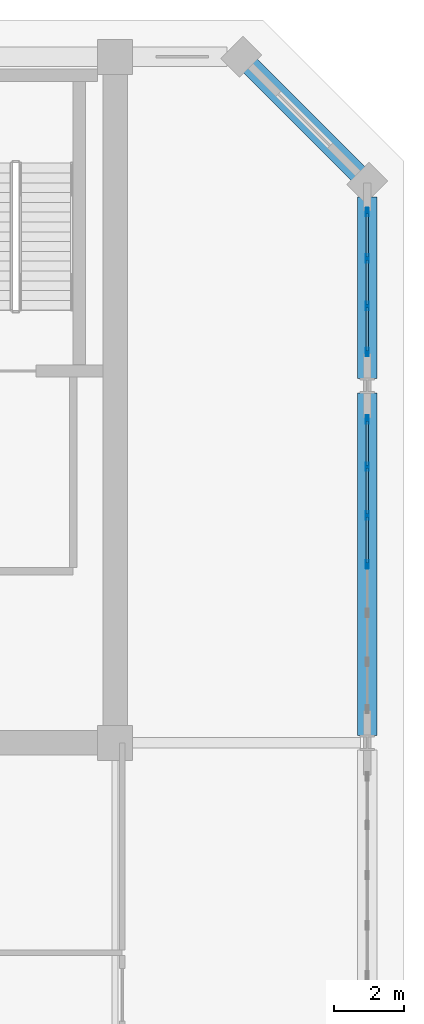
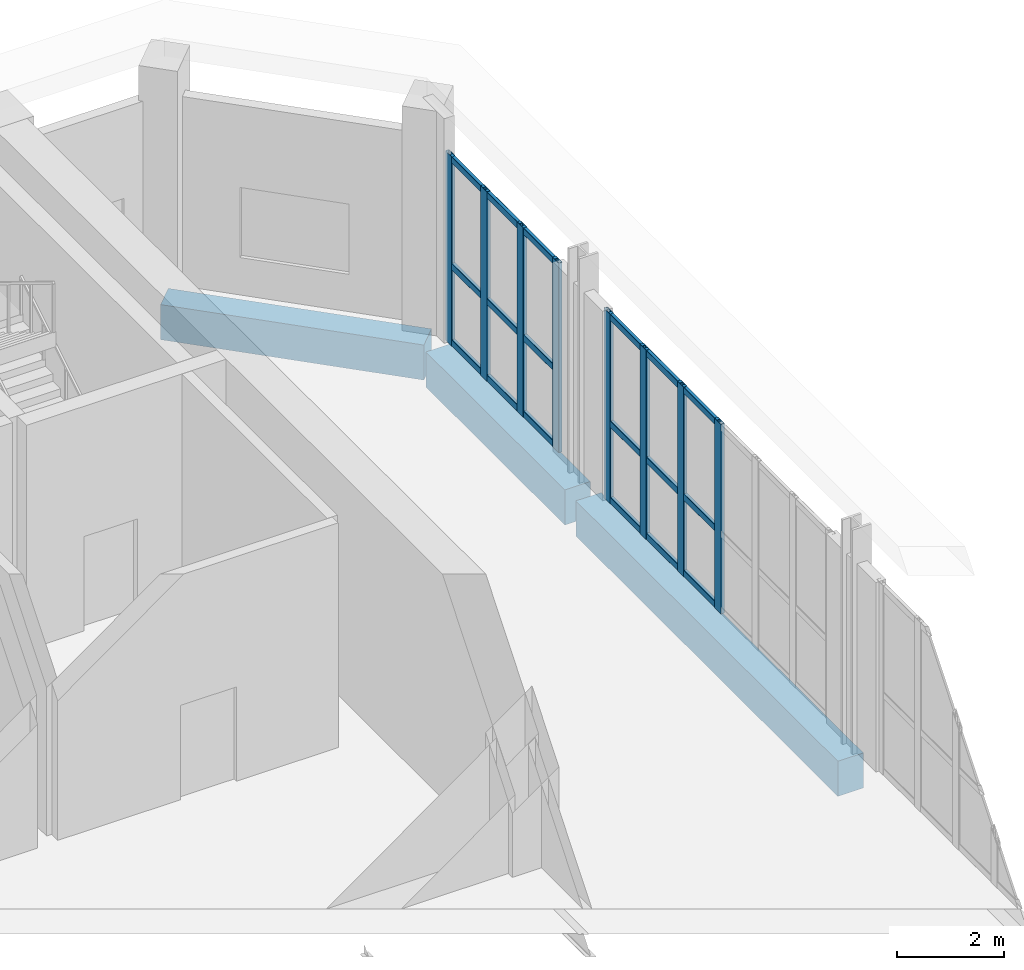
# One storey, part 16 of 26: 26 members, 3 beams, 2 elements without a shape of their own.
"""IFC4 building model written with IfcOpenShell, lengths in metres."""

from ifc_helpers import new_model, si_unit, direction, frame, origin, origin_2d, place, context, subcontext, project, spatial, rectangle, hollow_rectangle, extrude, material, layer, layer_set, material_profile, profile_set, type_object, element, aggregate, save


model = new_model("IFC4")

# Units and contexts
model_context = context("Model", 3, precision=1e-05, world=origin(), true_north=direction((0.0, 1.0)))
body_context = subcontext(model_context, "Body", "Model", "MODEL_VIEW")
ifc_project = project(units=[si_unit("LENGTHUNIT", "METRE"), si_unit("AREAUNIT", "SQUARE_METRE"), si_unit("VOLUMEUNIT", "CUBIC_METRE"), si_unit("PLANEANGLEUNIT", "RADIAN"), si_unit("MASSUNIT", "GRAM", prefix="KILO")], contexts=[model_context])

# Site, building, storey
site_placement = place(None, origin())
site = spatial("IfcSite", under=ifc_project, at=site_placement, CompositionType="ELEMENT")
building_placement = place(site_placement, origin())
building = spatial("IfcBuilding", under=site, at=building_placement, Name="Kaelvorn Grand Hotel", CompositionType="ELEMENT")
storey_placement = place(building_placement, frame((0.0, 0.0, 300.199951171875)))
storey = spatial("IfcBuildingStorey", under=building, at=storey_placement, Name="L73", CompositionType="ELEMENT", Elevation=300.199951171875)

# Beams
ifc_material_1 = material(Name="Concrete C50/60", Category="concrete")
ifc_material_profile_1 = material_profile(ifc_material_1, rectangle(XDim=0.550048828125, YDim=0.800048828125, at=origin_2d()), Name="RC SPANDREL 550x800")
ifc_profile_set_1 = profile_set([ifc_material_profile_1], Name="Concrete C50/60")
beam_type = type_object("IfcBeamType", Name="BM-SP-550x800-C50", PredefinedType="SPANDREL", material=ifc_profile_set_1)
beam_1_placement = place(storey_placement, frame((75.0, 29.60498046875, -0.780029296875), z_axis=(0.0, 1.0, 0.0), x_axis=(-1.0, 0.0, 0.0)))
element("IfcBeam", 1, at=beam_1_placement, inside=storey, type_object=beam_type, Name="L73 East Perimeter Spandrel 03", PredefinedType="SPANDREL", context=body_context, shape_type="SweptSolid", body=[
    extrude(rectangle(XDim=0.550048828125, YDim=0.800048828125, at=origin_2d()), origin(), (0.0, 0.0, 1.0), 9.7900390625),
])
beam_2_placement = place(storey_placement, frame((75.0, 39.804931640625, -0.780029296875), z_axis=(0.0, 1.0, 0.0), x_axis=(-1.0, 0.0, 0.0)))
element("IfcBeam", 2, at=beam_2_placement, inside=storey, type_object=beam_type, Name="L73 East Perimeter Spandrel 04", PredefinedType="SPANDREL", context=body_context, shape_type="SweptSolid", body=[
    extrude(rectangle(XDim=0.550048828125, YDim=0.800048828125, at=origin_2d()), origin(), (0.0, 0.0, 1.0), 5.190185546875),
])
beam_3_placement = place(storey_placement, frame((75.0, 45.39990234375, -0.780029296875), z_axis=(-0.707106781187, 0.707106781187, 0.0), x_axis=(-0.707106781187, -0.707106781187, 0.0)))
element("IfcBeam", 3, at=beam_3_placement, inside=storey, type_object=beam_type, Name="L73 Chamfer Spandrel Beam 2", PredefinedType="SPANDREL", context=body_context, shape_type="SweptSolid", body=[
    extrude(rectangle(XDim=0.550048828125, YDim=0.800048828125, at=origin_2d()), origin(), (0.0, 0.0, 1.0), 5.09130859375),
])

# Curtain wall, members
ifc_material_2 = material(Name="Anodised Aluminium", Category="aluminium")
ifc_layer = layer(ifc_material_2, 0.239990234375)
ifc_layer_set = layer_set([ifc_layer], Name="Anodised Aluminium")
curtain_wall_type = type_object("IfcCurtainWallType", Name="CW-SYS5", PredefinedType="NOTDEFINED", material=ifc_layer_set)
curtain_wall_1_placement = place(storey_placement, origin())
curtain_wall_1 = element("IfcCurtainWall", 4, at=curtain_wall_1_placement, inside=storey, type_object=curtain_wall_type, Name="L73 Unitised Curtain Wall CW5 (CW-L73-E-04)", PredefinedType="NOTDEFINED")
ifc_material_profile_2 = material_profile(ifc_material_2, hollow_rectangle(XDim=0.080078125, YDim=0.239990234375, WallThickness=0.0048828125, InnerFilletRadius=0.0048828125, OuterFilletRadius=0.010009765625, at=origin_2d()), Name="ALU MULL 80x240")
ifc_profile_set_2 = profile_set([ifc_material_profile_2], Name="Anodised Aluminium")
member_type_1 = type_object("IfcMemberType", Name="CW-SYS5-MULL", PredefinedType="MULLION", material=ifc_profile_set_2)
member_1_placement = place(storey_placement, frame((75.0, 34.5, 0.0), z_axis=(0.0, 0.0, 1.0), x_axis=(-1.0, 0.0, 0.0)))
member_1 = element("IfcMember", 5, at=member_1_placement, type_object=member_type_1, Name="CW5 mullion 4", PredefinedType="MULLION", context=body_context, shape_type="SweptSolid", body=[
    extrude(hollow_rectangle(XDim=0.080078125, YDim=0.239990234375, WallThickness=0.0048828125, InnerFilletRadius=0.0048828125, OuterFilletRadius=0.010009765625, at=origin_2d()), origin(), (0.0, 0.0, 1.0), 4.320068359375),
])
member_2_placement = place(storey_placement, frame((75.0, 35.893310546875, 0.0), z_axis=(0.0, 0.0, 1.0), x_axis=(-1.0, 0.0, 0.0)))
member_2 = element("IfcMember", 6, at=member_2_placement, type_object=member_type_1, Name="CW5 mullion 5", PredefinedType="MULLION", context=body_context, shape_type="SweptSolid", body=[
    extrude(hollow_rectangle(XDim=0.080078125, YDim=0.239990234375, WallThickness=0.0048828125, InnerFilletRadius=0.0048828125, OuterFilletRadius=0.010009765625, at=origin_2d()), origin(), (0.0, 0.0, 1.0), 4.320068359375),
])
member_3_placement = place(storey_placement, frame((75.0, 37.28662109375, 0.0), z_axis=(0.0, 0.0, 1.0), x_axis=(-1.0, 0.0, 0.0)))
member_3 = element("IfcMember", 7, at=member_3_placement, type_object=member_type_1, Name="CW5 mullion 6", PredefinedType="MULLION", context=body_context, shape_type="SweptSolid", body=[
    extrude(hollow_rectangle(XDim=0.080078125, YDim=0.239990234375, WallThickness=0.0048828125, InnerFilletRadius=0.0048828125, OuterFilletRadius=0.010009765625, at=origin_2d()), origin(), (0.0, 0.0, 1.0), 4.320068359375),
])
member_4_placement = place(storey_placement, frame((75.0, 38.639892578125, 0.0), z_axis=(0.0, 0.0, 1.0), x_axis=(-1.0, 0.0, 0.0)))
member_4 = element("IfcMember", 8, at=member_4_placement, type_object=member_type_1, Name="CW5 mullion 7", PredefinedType="MULLION", context=body_context, shape_type="SweptSolid", body=[
    extrude(hollow_rectangle(XDim=0.080078125, YDim=0.239990234375, WallThickness=0.0048828125, InnerFilletRadius=0.0048828125, OuterFilletRadius=0.010009765625, at=origin_2d()), origin(), (0.0, 0.0, 1.0), 4.320068359375),
])

curtain_wall_2_placement = place(storey_placement, origin())
curtain_wall_2 = element("IfcCurtainWall", 9, at=curtain_wall_2_placement, inside=storey, type_object=curtain_wall_type, Name="L73 Unitised Curtain Wall CW5 (CW-L73-E-05)", PredefinedType="NOTDEFINED")
member_5_placement = place(storey_placement, frame((75.0, 40.56005859375, 0.0), z_axis=(0.0, 0.0, 1.0), x_axis=(-1.0, 0.0, 0.0)))
member_5 = element("IfcMember", 10, at=member_5_placement, type_object=member_type_1, Name="CW5 mullion 1", PredefinedType="MULLION", context=body_context, shape_type="SweptSolid", body=[
    extrude(hollow_rectangle(XDim=0.080078125, YDim=0.239990234375, WallThickness=0.0048828125, InnerFilletRadius=0.0048828125, OuterFilletRadius=0.010009765625, at=origin_2d()), origin(), (0.0, 0.0, 1.0), 4.320068359375),
])
member_6_placement = place(storey_placement, frame((75.0, 41.8798828125, 0.0), z_axis=(0.0, 0.0, 1.0), x_axis=(-1.0, 0.0, 0.0)))
member_6 = element("IfcMember", 11, at=member_6_placement, type_object=member_type_1, Name="CW5 mullion 2", PredefinedType="MULLION", context=body_context, shape_type="SweptSolid", body=[
    extrude(hollow_rectangle(XDim=0.080078125, YDim=0.239990234375, WallThickness=0.0048828125, InnerFilletRadius=0.0048828125, OuterFilletRadius=0.010009765625, at=origin_2d()), origin(), (0.0, 0.0, 1.0), 4.320068359375),
])
member_7_placement = place(storey_placement, frame((75.0, 43.239990234375, 0.0), z_axis=(0.0, 0.0, 1.0), x_axis=(-1.0, 0.0, 0.0)))
member_7 = element("IfcMember", 12, at=member_7_placement, type_object=member_type_1, Name="CW5 mullion 3", PredefinedType="MULLION", context=body_context, shape_type="SweptSolid", body=[
    extrude(hollow_rectangle(XDim=0.080078125, YDim=0.239990234375, WallThickness=0.0048828125, InnerFilletRadius=0.0048828125, OuterFilletRadius=0.010009765625, at=origin_2d()), origin(), (0.0, 0.0, 1.0), 4.320068359375),
])
member_8_placement = place(storey_placement, frame((75.0, 44.56005859375, 0.0), z_axis=(0.0, 0.0, 1.0), x_axis=(-1.0, 0.0, 0.0)))
member_8 = element("IfcMember", 13, at=member_8_placement, type_object=member_type_1, Name="CW5 mullion 4", PredefinedType="MULLION", context=body_context, shape_type="SweptSolid", body=[
    extrude(hollow_rectangle(XDim=0.080078125, YDim=0.239990234375, WallThickness=0.0048828125, InnerFilletRadius=0.0048828125, OuterFilletRadius=0.010009765625, at=origin_2d()), origin(), (0.0, 0.0, 1.0), 4.320068359375),
])

# Member
ifc_material_profile_3 = material_profile(ifc_material_2, hollow_rectangle(XDim=0.074951171875, YDim=0.14990234375, WallThickness=0.00390625, InnerFilletRadius=0.00390625, OuterFilletRadius=0.008056640625, at=origin_2d()), Name="ALU TRAN 75x150")
ifc_profile_set_3 = profile_set([ifc_material_profile_3], Name="Anodised Aluminium")
member_type_2 = type_object("IfcMemberType", Name="CW-SYS5-TRAN", PredefinedType="NOTDEFINED", material=ifc_profile_set_3)
member_9_placement = place(storey_placement, frame((75.0, 34.5400390625, 0.074951171875), z_axis=(0.0, 1.0, 0.0), x_axis=(-1.0, 0.0, 0.0)))
member_9 = element("IfcMember", 14, at=member_9_placement, type_object=member_type_2, Name="CW5 transom 4.1", ObjectType="TRANSOM", PredefinedType="USERDEFINED", context=body_context, shape_type="SweptSolid", body=[
    extrude(hollow_rectangle(XDim=0.074951171875, YDim=0.14990234375, WallThickness=0.00390625, InnerFilletRadius=0.00390625, OuterFilletRadius=0.008056640625, at=origin_2d()), origin(), (0.0, 0.0, 1.0), 1.313232421875),
])

member_10_placement = place(storey_placement, frame((75.0, 34.5400390625, 1.814453125), z_axis=(0.0, 1.0, 0.0), x_axis=(-1.0, 0.0, 0.0)))
member_10 = element("IfcMember", 15, at=member_10_placement, type_object=member_type_2, Name="CW5 transom 4.2", ObjectType="TRANSOM", PredefinedType="USERDEFINED", context=body_context, shape_type="SweptSolid", body=[
    extrude(hollow_rectangle(XDim=0.074951171875, YDim=0.14990234375, WallThickness=0.00390625, InnerFilletRadius=0.00390625, OuterFilletRadius=0.008056640625, at=origin_2d()), origin(), (0.0, 0.0, 1.0), 1.313232421875),
])

member_11_placement = place(storey_placement, frame((75.0, 34.5400390625, 4.2451171875), z_axis=(0.0, 1.0, 0.0), x_axis=(-1.0, 0.0, 0.0)))
member_11 = element("IfcMember", 16, at=member_11_placement, type_object=member_type_2, Name="CW5 transom 4.3", ObjectType="TRANSOM", PredefinedType="USERDEFINED", context=body_context, shape_type="SweptSolid", body=[
    extrude(hollow_rectangle(XDim=0.074951171875, YDim=0.14990234375, WallThickness=0.00390625, InnerFilletRadius=0.00390625, OuterFilletRadius=0.008056640625, at=origin_2d()), origin(), (0.0, 0.0, 1.0), 1.313232421875),
])

member_12_placement = place(storey_placement, frame((75.0, 35.933349609375, 0.074951171875), z_axis=(0.0, 1.0, 0.0), x_axis=(-1.0, 0.0, 0.0)))
member_12 = element("IfcMember", 17, at=member_12_placement, type_object=member_type_2, Name="CW5 transom 5.1", ObjectType="TRANSOM", PredefinedType="USERDEFINED", context=body_context, shape_type="SweptSolid", body=[
    extrude(hollow_rectangle(XDim=0.074951171875, YDim=0.14990234375, WallThickness=0.00390625, InnerFilletRadius=0.00390625, OuterFilletRadius=0.008056640625, at=origin_2d()), origin(), (0.0, 0.0, 1.0), 1.313232421875),
])

member_13_placement = place(storey_placement, frame((75.0, 35.933349609375, 1.814453125), z_axis=(0.0, 1.0, 0.0), x_axis=(-1.0, 0.0, 0.0)))
member_13 = element("IfcMember", 18, at=member_13_placement, type_object=member_type_2, Name="CW5 transom 5.2", ObjectType="TRANSOM", PredefinedType="USERDEFINED", context=body_context, shape_type="SweptSolid", body=[
    extrude(hollow_rectangle(XDim=0.074951171875, YDim=0.14990234375, WallThickness=0.00390625, InnerFilletRadius=0.00390625, OuterFilletRadius=0.008056640625, at=origin_2d()), origin(), (0.0, 0.0, 1.0), 1.313232421875),
])

member_14_placement = place(storey_placement, frame((75.0, 35.933349609375, 4.2451171875), z_axis=(0.0, 1.0, 0.0), x_axis=(-1.0, 0.0, 0.0)))
member_14 = element("IfcMember", 19, at=member_14_placement, type_object=member_type_2, Name="CW5 transom 5.3", ObjectType="TRANSOM", PredefinedType="USERDEFINED", context=body_context, shape_type="SweptSolid", body=[
    extrude(hollow_rectangle(XDim=0.074951171875, YDim=0.14990234375, WallThickness=0.00390625, InnerFilletRadius=0.00390625, OuterFilletRadius=0.008056640625, at=origin_2d()), origin(), (0.0, 0.0, 1.0), 1.313232421875),
])

member_15_placement = place(storey_placement, frame((75.0, 37.32666015625, 0.074951171875), z_axis=(0.0, 1.0, 0.0), x_axis=(-1.0, 0.0, 0.0)))
member_15 = element("IfcMember", 20, at=member_15_placement, type_object=member_type_2, Name="CW5 transom 6.1", ObjectType="TRANSOM", PredefinedType="USERDEFINED", context=body_context, shape_type="SweptSolid", body=[
    extrude(hollow_rectangle(XDim=0.074951171875, YDim=0.14990234375, WallThickness=0.00390625, InnerFilletRadius=0.00390625, OuterFilletRadius=0.008056640625, at=origin_2d()), origin(), (0.0, 0.0, 1.0), 1.2734375),
])

member_16_placement = place(storey_placement, frame((75.0, 37.32666015625, 1.814453125), z_axis=(0.0, 1.0, 0.0), x_axis=(-1.0, 0.0, 0.0)))
member_16 = element("IfcMember", 21, at=member_16_placement, type_object=member_type_2, Name="CW5 transom 6.2", ObjectType="TRANSOM", PredefinedType="USERDEFINED", context=body_context, shape_type="SweptSolid", body=[
    extrude(hollow_rectangle(XDim=0.074951171875, YDim=0.14990234375, WallThickness=0.00390625, InnerFilletRadius=0.00390625, OuterFilletRadius=0.008056640625, at=origin_2d()), origin(), (0.0, 0.0, 1.0), 1.2734375),
])

member_17_placement = place(storey_placement, frame((75.0, 37.32666015625, 4.2451171875), z_axis=(0.0, 1.0, 0.0), x_axis=(-1.0, 0.0, 0.0)))
member_17 = element("IfcMember", 22, at=member_17_placement, type_object=member_type_2, Name="CW5 transom 6.3", ObjectType="TRANSOM", PredefinedType="USERDEFINED", context=body_context, shape_type="SweptSolid", body=[
    extrude(hollow_rectangle(XDim=0.074951171875, YDim=0.14990234375, WallThickness=0.00390625, InnerFilletRadius=0.00390625, OuterFilletRadius=0.008056640625, at=origin_2d()), origin(), (0.0, 0.0, 1.0), 1.2734375),
])

aggregate(curtain_wall_1, [member_1, member_2, member_3, member_4, member_9, member_10, member_11, member_12, member_13, member_14, member_15, member_16, member_17])

member_18_placement = place(storey_placement, frame((75.0, 40.60009765625, 0.074951171875), z_axis=(0.0, 1.0, 0.0), x_axis=(-1.0, 0.0, 0.0)))
member_18 = element("IfcMember", 23, at=member_18_placement, type_object=member_type_2, Name="CW5 transom 1.1", ObjectType="TRANSOM", PredefinedType="USERDEFINED", context=body_context, shape_type="SweptSolid", body=[
    extrude(hollow_rectangle(XDim=0.074951171875, YDim=0.14990234375, WallThickness=0.00390625, InnerFilletRadius=0.00390625, OuterFilletRadius=0.008056640625, at=origin_2d()), origin(), (0.0, 0.0, 1.0), 1.239990234375),
])

member_19_placement = place(storey_placement, frame((75.0, 40.60009765625, 1.814453125), z_axis=(0.0, 1.0, 0.0), x_axis=(-1.0, 0.0, 0.0)))
member_19 = element("IfcMember", 24, at=member_19_placement, type_object=member_type_2, Name="CW5 transom 1.2", ObjectType="TRANSOM", PredefinedType="USERDEFINED", context=body_context, shape_type="SweptSolid", body=[
    extrude(hollow_rectangle(XDim=0.074951171875, YDim=0.14990234375, WallThickness=0.00390625, InnerFilletRadius=0.00390625, OuterFilletRadius=0.008056640625, at=origin_2d()), origin(), (0.0, 0.0, 1.0), 1.239990234375),
])

member_20_placement = place(storey_placement, frame((75.0, 40.60009765625, 4.2451171875), z_axis=(0.0, 1.0, 0.0), x_axis=(-1.0, 0.0, 0.0)))
member_20 = element("IfcMember", 25, at=member_20_placement, type_object=member_type_2, Name="CW5 transom 1.3", ObjectType="TRANSOM", PredefinedType="USERDEFINED", context=body_context, shape_type="SweptSolid", body=[
    extrude(hollow_rectangle(XDim=0.074951171875, YDim=0.14990234375, WallThickness=0.00390625, InnerFilletRadius=0.00390625, OuterFilletRadius=0.008056640625, at=origin_2d()), origin(), (0.0, 0.0, 1.0), 1.239990234375),
])

member_21_placement = place(storey_placement, frame((75.0, 41.919921875, 0.074951171875), z_axis=(0.0, 1.0, 0.0), x_axis=(-1.0, 0.0, 0.0)))
member_21 = element("IfcMember", 26, at=member_21_placement, type_object=member_type_2, Name="CW5 transom 2.1", ObjectType="TRANSOM", PredefinedType="USERDEFINED", context=body_context, shape_type="SweptSolid", body=[
    extrude(hollow_rectangle(XDim=0.074951171875, YDim=0.14990234375, WallThickness=0.00390625, InnerFilletRadius=0.00390625, OuterFilletRadius=0.008056640625, at=origin_2d()), origin(), (0.0, 0.0, 1.0), 1.280029296875),
])

member_22_placement = place(storey_placement, frame((75.0, 41.919921875, 1.814453125), z_axis=(0.0, 1.0, 0.0), x_axis=(-1.0, 0.0, 0.0)))
member_22 = element("IfcMember", 27, at=member_22_placement, type_object=member_type_2, Name="CW5 transom 2.2", ObjectType="TRANSOM", PredefinedType="USERDEFINED", context=body_context, shape_type="SweptSolid", body=[
    extrude(hollow_rectangle(XDim=0.074951171875, YDim=0.14990234375, WallThickness=0.00390625, InnerFilletRadius=0.00390625, OuterFilletRadius=0.008056640625, at=origin_2d()), origin(), (0.0, 0.0, 1.0), 1.280029296875),
])

member_23_placement = place(storey_placement, frame((75.0, 41.919921875, 4.2451171875), z_axis=(0.0, 1.0, 0.0), x_axis=(-1.0, 0.0, 0.0)))
member_23 = element("IfcMember", 28, at=member_23_placement, type_object=member_type_2, Name="CW5 transom 2.3", ObjectType="TRANSOM", PredefinedType="USERDEFINED", context=body_context, shape_type="SweptSolid", body=[
    extrude(hollow_rectangle(XDim=0.074951171875, YDim=0.14990234375, WallThickness=0.00390625, InnerFilletRadius=0.00390625, OuterFilletRadius=0.008056640625, at=origin_2d()), origin(), (0.0, 0.0, 1.0), 1.280029296875),
])

member_24_placement = place(storey_placement, frame((75.0, 43.280029296875, 0.074951171875), z_axis=(0.0, 1.0, 0.0), x_axis=(-1.0, 0.0, 0.0)))
member_24 = element("IfcMember", 29, at=member_24_placement, type_object=member_type_2, Name="CW5 transom 3.1", ObjectType="TRANSOM", PredefinedType="USERDEFINED", context=body_context, shape_type="SweptSolid", body=[
    extrude(hollow_rectangle(XDim=0.074951171875, YDim=0.14990234375, WallThickness=0.00390625, InnerFilletRadius=0.00390625, OuterFilletRadius=0.008056640625, at=origin_2d()), origin(), (0.0, 0.0, 1.0), 1.239990234375),
])

member_25_placement = place(storey_placement, frame((75.0, 43.280029296875, 1.814453125), z_axis=(0.0, 1.0, 0.0), x_axis=(-1.0, 0.0, 0.0)))
member_25 = element("IfcMember", 30, at=member_25_placement, type_object=member_type_2, Name="CW5 transom 3.2", ObjectType="TRANSOM", PredefinedType="USERDEFINED", context=body_context, shape_type="SweptSolid", body=[
    extrude(hollow_rectangle(XDim=0.074951171875, YDim=0.14990234375, WallThickness=0.00390625, InnerFilletRadius=0.00390625, OuterFilletRadius=0.008056640625, at=origin_2d()), origin(), (0.0, 0.0, 1.0), 1.239990234375),
])

member_26_placement = place(storey_placement, frame((75.0, 43.280029296875, 4.2451171875), z_axis=(0.0, 1.0, 0.0), x_axis=(-1.0, 0.0, 0.0)))
member_26 = element("IfcMember", 31, at=member_26_placement, type_object=member_type_2, Name="CW5 transom 3.3", ObjectType="TRANSOM", PredefinedType="USERDEFINED", context=body_context, shape_type="SweptSolid", body=[
    extrude(hollow_rectangle(XDim=0.074951171875, YDim=0.14990234375, WallThickness=0.00390625, InnerFilletRadius=0.00390625, OuterFilletRadius=0.008056640625, at=origin_2d()), origin(), (0.0, 0.0, 1.0), 1.239990234375),
])

aggregate(curtain_wall_2, [member_5, member_6, member_7, member_8, member_18, member_19, member_20, member_21, member_22, member_23, member_24, member_25, member_26])

save(model, "model.ifc")
